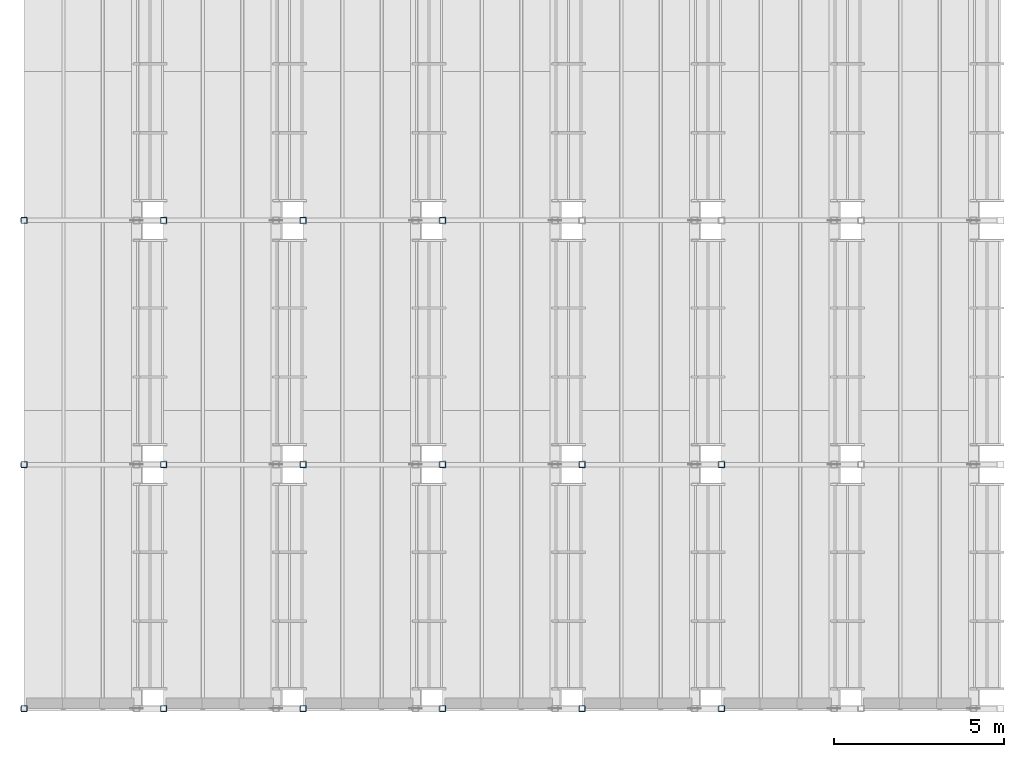
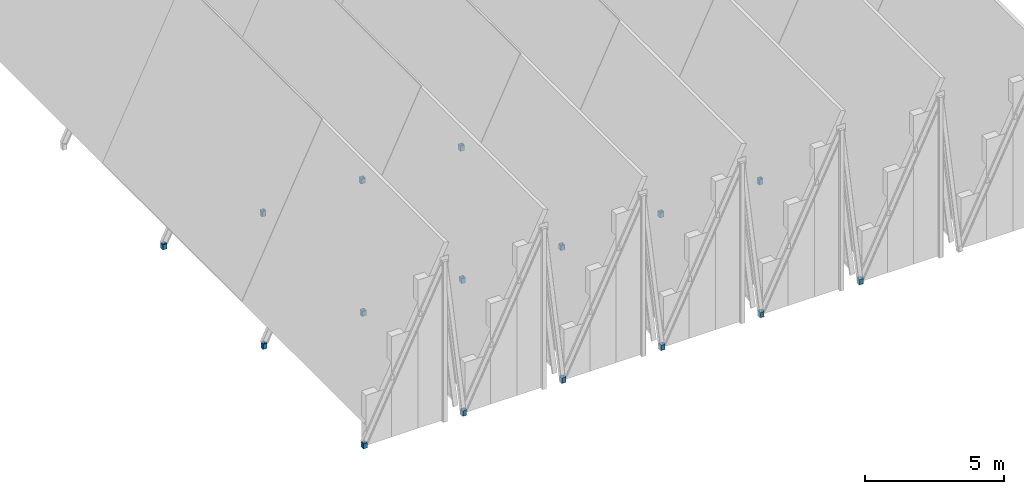
# One storey, part 11 of 28: 16 members.
"""IFC4 building model written with IfcOpenShell, lengths in metres."""

from ifc_helpers import new_model, si_unit, direction, frame, origin, origin_2d, place, context, subcontext, project, spatial, hollow_rectangle, extrude, material, material_profile, profile_set, type_object, element, save


model = new_model("IFC4")

# Units and contexts
model_context = context("Model", 3, precision=1e-05, world=origin(), true_north=direction((0.0, 1.0)))
body_context = subcontext(model_context, "Body", "Model", "MODEL_VIEW")
ifc_project = project(units=[si_unit("LENGTHUNIT", "METRE"), si_unit("AREAUNIT", "SQUARE_METRE"), si_unit("VOLUMEUNIT", "CUBIC_METRE"), si_unit("PLANEANGLEUNIT", "RADIAN"), si_unit("MASSUNIT", "GRAM", prefix="KILO")], contexts=[model_context])

# Site, building, storey
site_placement = place(None, origin())
site = spatial("IfcSite", under=ifc_project, at=site_placement, CompositionType="ELEMENT")
building_placement = place(site_placement, origin())
building = spatial("IfcBuilding", under=site, at=building_placement, Name="Bramveld Media Centre", CompositionType="ELEMENT")
storey_placement = place(building_placement, frame((0.0, 0.0, 33.89990234375)))
storey = spatial("IfcBuildingStorey", under=building, at=storey_placement, Name="ROOF", CompositionType="ELEMENT", Elevation=33.89990234375)

# Members
ifc_material = material(Name="Steel S355J2H", Category="steel")
ifc_material_profile = material_profile(ifc_material, hollow_rectangle(XDim=0.179931640625, YDim=0.179931640625, WallThickness=0.010009765625, InnerFilletRadius=0.010009765625, OuterFilletRadius=0.02001953125, at=origin_2d()), Name="SHS 180x180x10")
ifc_profile_set = profile_set([ifc_material_profile], Name="Steel S355J2H")
member_type = type_object("IfcMemberType", Name="MEM-POST-SHS180", PredefinedType="POST", material=ifc_profile_set)
for number, where, z_axis, x_axis, name in (
    (1, (131.199951171875, 83.199951171875, -0.0498046875), (0.0, 0.0, 1.0), (1.0, 0.0, 0.0), "CRN-FR-B01-F1 gable eave post"),
    (2, (131.199951171875, 90.39990234375, -0.0498046875), (0.0, 0.0, 1.0), (1.0, 0.0, 0.0), "CRN-FR-B01-F2 gable eave post"),
    (3, (131.199951171875, 97.60009765625, -0.0498046875), (0.0, 0.0, 1.0), (1.0, 0.0, 0.0), "CRN-FR-B01-F3 gable eave post"),
    (4, (135.314208984375, 83.199951171875, -0.0498046875), (0.0, 0.0, 1.0), (1.0, 0.0, 0.0), "CRN-FR-B02-F1 gable eave post"),
    (5, (135.314208984375, 90.39990234375, -0.0498046875), (0.0, 0.0, 1.0), (1.0, 0.0, 0.0), "CRN-FR-B02-F2 gable eave post"),
    (6, (135.314208984375, 97.60009765625, -0.0498046875), (0.0, 0.0, 1.0), (1.0, 0.0, 0.0), "CRN-FR-B02-F3 gable eave post"),
    (7, (139.4287109375, 83.199951171875, -0.0498046875), (0.0, 0.0, 1.0), (1.0, 0.0, 0.0), "CRN-FR-B03-F1 gable eave post"),
    (8, (139.4287109375, 90.39990234375, -0.0498046875), (0.0, 0.0, 1.0), (1.0, 0.0, 0.0), "CRN-FR-B03-F2 gable eave post"),
    (9, (139.4287109375, 97.60009765625, -0.0498046875), (0.0, 0.0, 1.0), (1.0, 0.0, 0.0), "CRN-FR-B03-F3 gable eave post"),
    (10, (143.54296875, 83.199951171875, -0.0498046875), (0.0, 0.0, 1.0), (1.0, 0.0, 0.0), "CRN-FR-B04-F1 gable eave post"),
    (11, (143.54296875, 90.39990234375, -0.0498046875), (0.0, 0.0, 1.0), (1.0, 0.0, 0.0), "CRN-FR-B04-F2 gable eave post"),
    (12, (143.54296875, 97.60009765625, -0.0498046875), (0.0, 0.0, 1.0), (1.0, 0.0, 0.0), "CRN-FR-B04-F3 gable eave post"),
    (13, (147.656982421875, 83.199951171875, -0.0498046875), (0.0, 0.0, 1.0), (1.0, 0.0, 0.0), "CRN-FR-B05-F1 gable eave post"),
    (14, (147.656982421875, 90.39990234375, -0.0498046875), (0.0, 0.0, 1.0), (1.0, 0.0, 0.0), "CRN-FR-B05-F2 gable eave post"),
    (15, (151.771484375, 83.199951171875, -0.0498046875), (0.0, 0.0, 1.0), (1.0, 0.0, 0.0), "CRN-FR-B06-F1 gable eave post"),
    (16, (151.771484375, 90.39990234375, -0.0498046875), (0.0, 0.0, 1.0), (1.0, 0.0, 0.0), "CRN-FR-B06-F2 gable eave post"),
):
    element("IfcMember", number, at=place(storey_placement, frame(where, z_axis=z_axis, x_axis=x_axis)), inside=storey, type_object=member_type, Name=name, PredefinedType="POST", context=body_context, shape_type="SweptSolid", body=[
        extrude(hollow_rectangle(XDim=0.179931640625, YDim=0.179931640625, WallThickness=0.010009765625, InnerFilletRadius=0.010009765625, OuterFilletRadius=0.02001953125, at=origin_2d()), origin(), (0.0, 0.0, 1.0), 0.224609375),
    ])

save(model, "model.ifc")
